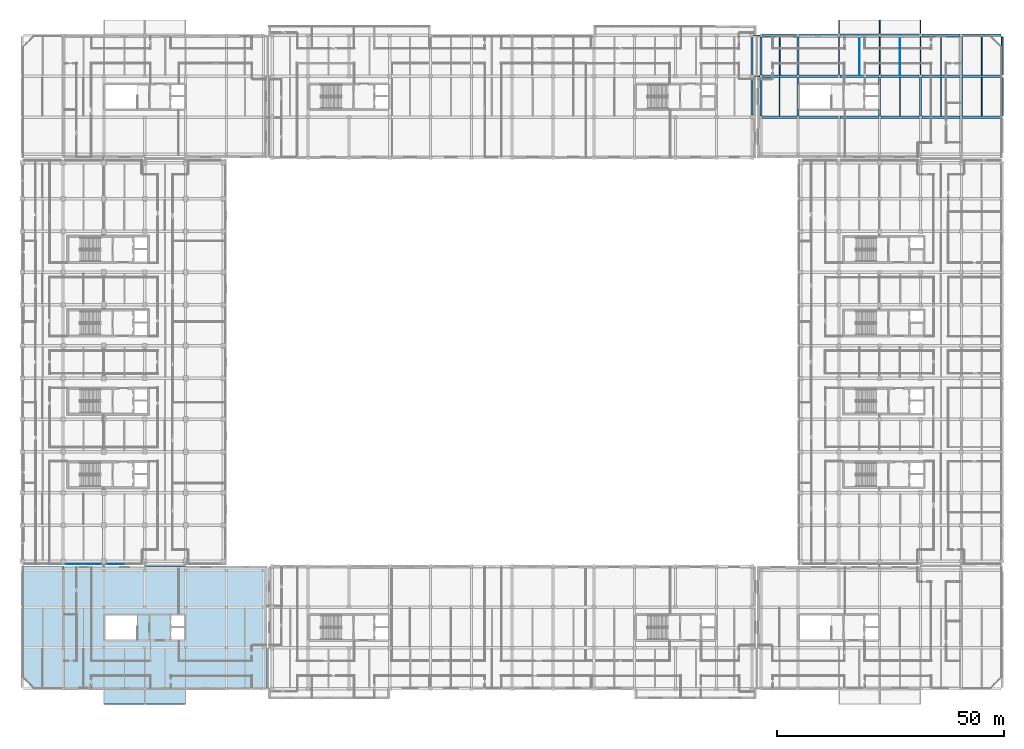
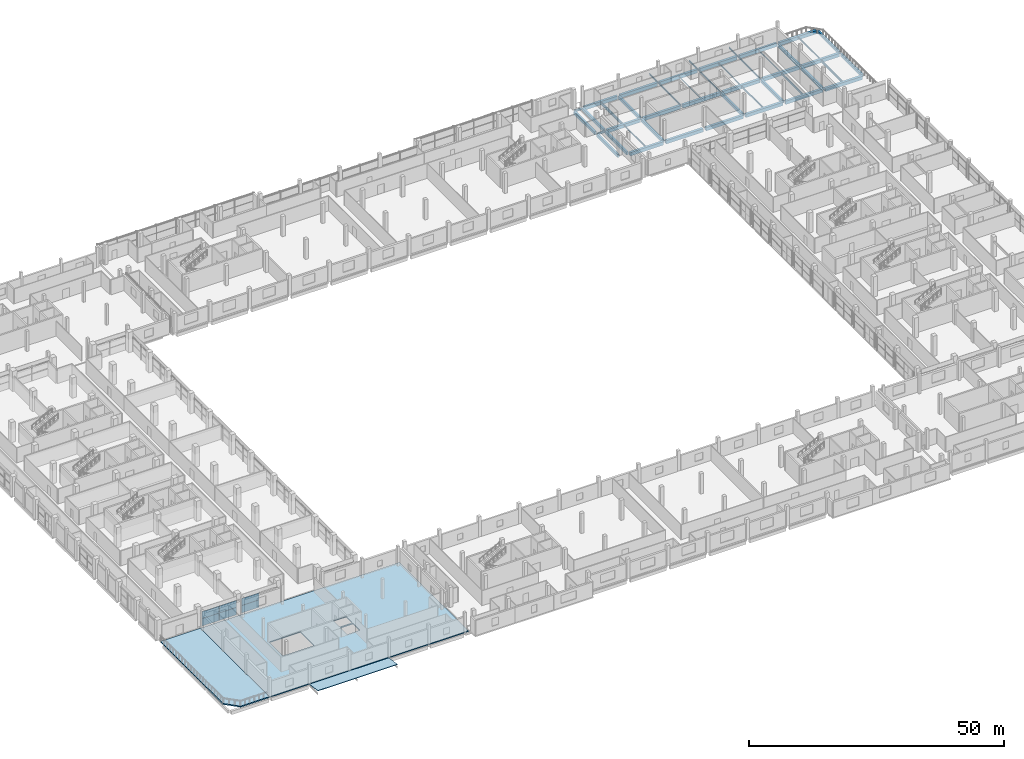
# One storey, part 52 of 111: 44 beams, 6 plates, 3 slabs, 2 elements without a shape of their own.
"""IFC4 building model written with IfcOpenShell, lengths in metres."""

from ifc_helpers import new_model, si_unit, direction, frame, origin, origin_2d, place, context, subcontext, project, spatial, polyline, rectangle, hollow_rectangle, i_section, outline, extrude, material, layer, layer_set, material_profile, profile_set, type_object, element, aggregate, save


model = new_model("IFC4")

# Units and contexts
model_context = context("Model", 3, precision=1e-05, world=origin(), true_north=direction((0.0, 1.0)))
body_context = subcontext(model_context, "Body", "Model", "MODEL_VIEW")
ifc_project = project(units=[si_unit("LENGTHUNIT", "METRE"), si_unit("AREAUNIT", "SQUARE_METRE"), si_unit("VOLUMEUNIT", "CUBIC_METRE"), si_unit("PLANEANGLEUNIT", "RADIAN"), si_unit("MASSUNIT", "GRAM", prefix="KILO"), si_unit("THERMODYNAMICTEMPERATUREUNIT", "KELVIN"), si_unit("POWERUNIT", "WATT")], contexts=[model_context])

# Site, building, storey
site_placement = place(None, origin())
site = spatial("IfcSite", under=ifc_project, at=site_placement, CompositionType="ELEMENT")
building_placement = place(site_placement, origin())
building = spatial("IfcBuilding", under=site, at=building_placement, Name="Sindhuravela Promenade Stadium", CompositionType="ELEMENT")
storey_placement = place(building_placement, frame((0.0, 0.0, 9.60009765625)))
storey = spatial("IfcBuildingStorey", under=building, at=storey_placement, Name="L02", CompositionType="ELEMENT", Elevation=9.60009765625)

# Beams
ifc_material_1 = material(Name="Concrete M40", Category="concrete")
ifc_material_profile_1 = material_profile(ifc_material_1, rectangle(XDim=0.39990234375, YDim=0.64990234375, at=origin_2d()), Name="RC 400x650")
ifc_profile_set_1 = profile_set([ifc_material_profile_1], Name="Concrete M40")
beam_type_1 = type_object("IfcBeamType", Name="RC-BM-400x650", PredefinedType="SPANDREL", material=ifc_profile_set_1)
for number, where, z_axis, x_axis, name in (
    (1, (216.0, 135.31494140625, -0.635009765625), (0.0, 1.0, 0.0), (-1.0, 0.0, 0.0), "Primary beam SP01 Pavilion NE L02"),
    (2, (216.0, 144.31494140625, -0.635009765625), (0.0, 1.0, 0.0), (-1.0, 0.0, 0.0), "Primary beam SP01 Pavilion NE L02"),
):
    element("IfcBeam", number, at=place(storey_placement, frame(where, z_axis=z_axis, x_axis=x_axis)), inside=storey, type_object=beam_type_1, Name=name, PredefinedType="SPANDREL", context=body_context, shape_type="SweptSolid", body=[
        extrude(rectangle(XDim=0.39990234375, YDim=0.64990234375, at=origin_2d()), origin(), (0.0, 0.0, 1.0), 8.3701171875),
    ])
ifc_material_profile_2 = material_profile(ifc_material_1, rectangle(XDim=0.449951171875, YDim=0.699951171875, at=origin_2d()), Name="RC 450x700")
ifc_profile_set_2 = profile_set([ifc_material_profile_2], Name="Concrete M40")
beam_type_2 = type_object("IfcBeamType", Name="RC-BM-450x700", PredefinedType="BEAM", material=ifc_profile_set_2)
for number, where, z_axis, x_axis, name in (
    (3, (160.89990234375, 135.43994140625, -0.630126953125), (0.0, 1.0, 0.0), (-1.0, 0.0, 0.0), "Primary beam GB07 NORTH L02"),
    (4, (160.89990234375, 144.43994140625, -0.630126953125), (0.0, 1.0, 0.0), (-1.0, 0.0, 0.0), "Primary beam GB07 NORTH L02"),
):
    element("IfcBeam", number, at=place(storey_placement, frame(where, z_axis=z_axis, x_axis=x_axis)), inside=storey, type_object=beam_type_2, Name=name, PredefinedType="BEAM", context=body_context, shape_type="SweptSolid", body=[
        extrude(rectangle(XDim=0.449951171875, YDim=0.699951171875, at=origin_2d()), origin(), (0.0, 0.0, 1.0), 8.1201171875),
    ])
for number, where, z_axis, x_axis, name in (
    (5, (162.85009765625, 135.2900390625, -0.585205078125), (0.0, 1.0, 0.0), (-1.0, 0.0, 0.0), "Primary beam GB07 Pavilion NE L02"),
    (6, (162.85009765625, 144.2900390625, -0.585205078125), (0.0, 1.0, 0.0), (-1.0, 0.0, 0.0), "Primary beam GB07 Pavilion NE L02"),
    (7, (171.0, 135.2900390625, -0.585205078125), (0.0, 1.0, 0.0), (-1.0, 0.0, 0.0), "Primary beam GB07 Pavilion NE L02"),
    (8, (171.0, 144.2900390625, -0.585205078125), (0.0, 1.0, 0.0), (-1.0, 0.0, 0.0), "Primary beam GB07 Pavilion NE L02"),
    (9, (189.0, 135.2900390625, -0.585205078125), (0.0, 1.0, 0.0), (-1.0, 0.0, 0.0), "Primary beam GB07 Pavilion NE L02"),
    (10, (198.0, 135.2900390625, -0.585205078125), (0.0, 1.0, 0.0), (-1.0, 0.0, 0.0), "Primary beam GB07 Pavilion NE L02"),
    (11, (207.0, 135.2900390625, -0.66015625), (0.0, 1.0, 0.0), (-1.0, 0.0, 0.0), "Primary beam GB07 Pavilion NE L02"),
    (12, (207.0, 144.2900390625, -0.66015625), (0.0, 1.0, 0.0), (-1.0, 0.0, 0.0), "Primary beam GB07 Pavilion NE L02"),
):
    element("IfcBeam", number, at=place(storey_placement, frame(where, z_axis=z_axis, x_axis=x_axis)), inside=storey, type_object=beam_type_2, Name=name, PredefinedType="BEAM", context=body_context, shape_type="SweptSolid", body=[
        extrude(rectangle(XDim=0.449951171875, YDim=0.699951171875, at=origin_2d()), origin(), (0.0, 0.0, 1.0), 8.419921875),
    ])
ifc_material_profile_3 = material_profile(ifc_material_1, rectangle(XDim=0.550048828125, YDim=0.800048828125, at=origin_2d()), Name="RC 550x800")
ifc_profile_set_3 = profile_set([ifc_material_profile_3], Name="Concrete M40")
beam_type_3 = type_object("IfcBeamType", Name="RC-BM-550x800", PredefinedType="BEAM", material=ifc_profile_set_3)
beam_1_placement = place(storey_placement, frame((163.139892578125, 135.0, -0.635009765625), z_axis=(1.0, 0.0, 0.0), x_axis=(0.0, 1.0, 0.0)))
element("IfcBeam", 13, at=beam_1_placement, inside=storey, type_object=beam_type_3, Name="Primary girder GB05 Pavilion NE L02", PredefinedType="BEAM", context=body_context, shape_type="SweptSolid", body=[
    extrude(rectangle(XDim=0.550048828125, YDim=0.800048828125, at=origin_2d()), origin(), (0.0, 0.0, 1.0), 7.570068359375),
])
for number, where, z_axis, x_axis, name in (
    (14, (171.2900390625, 135.0, -0.635009765625), (1.0, 0.0, 0.0), (0.0, 1.0, 0.0), "Primary girder GB05 Pavilion NE L02"),
    (15, (180.2900390625, 135.0, -0.635009765625), (1.0, 0.0, 0.0), (0.0, 1.0, 0.0), "Primary girder GB05 Pavilion NE L02"),
    (16, (189.2900390625, 135.0, -0.635009765625), (1.0, 0.0, 0.0), (0.0, 1.0, 0.0), "Primary girder GB05 Pavilion NE L02"),
    (17, (198.2900390625, 135.0, -0.635009765625), (1.0, 0.0, 0.0), (0.0, 1.0, 0.0), "Primary girder GB05 Pavilion NE L02"),
):
    element("IfcBeam", number, at=place(storey_placement, frame(where, z_axis=z_axis, x_axis=x_axis)), inside=storey, type_object=beam_type_3, Name=name, PredefinedType="BEAM", context=body_context, shape_type="SweptSolid", body=[
        extrude(rectangle(XDim=0.550048828125, YDim=0.800048828125, at=origin_2d()), origin(), (0.0, 0.0, 1.0), 8.419921875),
    ])
beam_2_placement = place(storey_placement, frame((207.2900390625, 135.0, -0.710205078125), z_axis=(1.0, 0.0, 0.0), x_axis=(0.0, 1.0, 0.0)))
element("IfcBeam", 18, at=beam_2_placement, inside=storey, type_object=beam_type_3, Name="Primary girder GB05 Pavilion NE L02", PredefinedType="BEAM", context=body_context, shape_type="SweptSolid", body=[
    extrude(rectangle(XDim=0.550048828125, YDim=0.800048828125, at=origin_2d()), origin(), (0.0, 0.0, 1.0), 8.39501953125),
])
beam_3_placement = place(storey_placement, frame((163.139892578125, 144.0, -0.635009765625), z_axis=(1.0, 0.0, 0.0), x_axis=(0.0, 1.0, 0.0)))
element("IfcBeam", 19, at=beam_3_placement, inside=storey, type_object=beam_type_3, Name="Primary girder GB05 Pavilion NE L02", PredefinedType="BEAM", context=body_context, shape_type="SweptSolid", body=[
    extrude(rectangle(XDim=0.550048828125, YDim=0.800048828125, at=origin_2d()), origin(), (0.0, 0.0, 1.0), 7.570068359375),
])
for number, where, z_axis, x_axis, name in (
    (20, (171.2900390625, 144.0, -0.635009765625), (1.0, 0.0, 0.0), (0.0, 1.0, 0.0), "Primary girder GB05 Pavilion NE L02"),
    (21, (180.2900390625, 144.0, -0.635009765625), (1.0, 0.0, 0.0), (0.0, 1.0, 0.0), "Primary girder GB05 Pavilion NE L02"),
    (22, (189.2900390625, 144.0, -0.635009765625), (1.0, 0.0, 0.0), (0.0, 1.0, 0.0), "Primary girder GB05 Pavilion NE L02"),
    (23, (198.2900390625, 144.0, -0.635009765625), (1.0, 0.0, 0.0), (0.0, 1.0, 0.0), "Primary girder GB05 Pavilion NE L02"),
):
    element("IfcBeam", number, at=place(storey_placement, frame(where, z_axis=z_axis, x_axis=x_axis)), inside=storey, type_object=beam_type_3, Name=name, PredefinedType="BEAM", context=body_context, shape_type="SweptSolid", body=[
        extrude(rectangle(XDim=0.550048828125, YDim=0.800048828125, at=origin_2d()), origin(), (0.0, 0.0, 1.0), 8.419921875),
    ])
beam_4_placement = place(storey_placement, frame((207.2900390625, 144.0, -0.710205078125), z_axis=(1.0, 0.0, 0.0), x_axis=(0.0, 1.0, 0.0)))
element("IfcBeam", 24, at=beam_4_placement, inside=storey, type_object=beam_type_3, Name="Primary girder GB05 Pavilion NE L02", PredefinedType="BEAM", context=body_context, shape_type="SweptSolid", body=[
    extrude(rectangle(XDim=0.550048828125, YDim=0.800048828125, at=origin_2d()), origin(), (0.0, 0.0, 1.0), 8.39501953125),
])
beam_5_placement = place(storey_placement, frame((163.139892578125, 153.0, -0.635009765625), z_axis=(1.0, 0.0, 0.0), x_axis=(0.0, 1.0, 0.0)))
element("IfcBeam", 25, at=beam_5_placement, inside=storey, type_object=beam_type_3, Name="Primary girder GB05 Pavilion NE L02", PredefinedType="BEAM", context=body_context, shape_type="SweptSolid", body=[
    extrude(rectangle(XDim=0.550048828125, YDim=0.800048828125, at=origin_2d()), origin(), (0.0, 0.0, 1.0), 7.570068359375),
])
for number, where, z_axis, x_axis, name in (
    (26, (171.2900390625, 153.0, -0.635009765625), (1.0, 0.0, 0.0), (0.0, 1.0, 0.0), "Primary girder GB05 Pavilion NE L02"),
    (27, (180.2900390625, 153.0, -0.635009765625), (1.0, 0.0, 0.0), (0.0, 1.0, 0.0), "Primary girder GB05 Pavilion NE L02"),
    (28, (189.2900390625, 153.0, -0.635009765625), (1.0, 0.0, 0.0), (0.0, 1.0, 0.0), "Primary girder GB05 Pavilion NE L02"),
    (29, (198.2900390625, 153.0, -0.635009765625), (1.0, 0.0, 0.0), (0.0, 1.0, 0.0), "Primary girder GB05 Pavilion NE L02"),
):
    element("IfcBeam", number, at=place(storey_placement, frame(where, z_axis=z_axis, x_axis=x_axis)), inside=storey, type_object=beam_type_3, Name=name, PredefinedType="BEAM", context=body_context, shape_type="SweptSolid", body=[
        extrude(rectangle(XDim=0.550048828125, YDim=0.800048828125, at=origin_2d()), origin(), (0.0, 0.0, 1.0), 8.419921875),
    ])
beam_6_placement = place(storey_placement, frame((207.2900390625, 153.0, -0.710205078125), z_axis=(1.0, 0.0, 0.0), x_axis=(0.0, 1.0, 0.0)))
element("IfcBeam", 30, at=beam_6_placement, inside=storey, type_object=beam_type_3, Name="Primary girder GB05 Pavilion NE L02", PredefinedType="BEAM", context=body_context, shape_type="SweptSolid", body=[
    extrude(rectangle(XDim=0.550048828125, YDim=0.800048828125, at=origin_2d()), origin(), (0.0, 0.0, 1.0), 8.39501953125),
])
ifc_material_2 = material(Name="Steel E350 (IS 2062 E350BR)", Category="steel")
ifc_material_profile_4 = material_profile(ifc_material_2, hollow_rectangle(XDim=0.10009765625, YDim=0.199951171875, WallThickness=0.008056640625, at=origin_2d()), Name="RHS 200x100x8")
ifc_profile_set_4 = profile_set([ifc_material_profile_4], Name="Steel E350 (IS 2062 E350BR)")
beam_type_4 = type_object("IfcBeamType", Name="ST-BM-LNT200", PredefinedType="LINTEL", material=ifc_profile_set_4)
beam_7_placement = place(storey_placement, frame((184.5, 144.264892578125, -0.335205078125), z_axis=(0.0, 1.0, 0.0), x_axis=(-1.0, 0.0, 0.0)))
element("IfcBeam", 31, at=beam_7_placement, inside=storey, type_object=beam_type_4, Name="Secondary floor joist LN01 Pavilion NE L02", PredefinedType="LINTEL", context=body_context, shape_type="SweptSolid", body=[
    extrude(hollow_rectangle(XDim=0.10009765625, YDim=0.199951171875, WallThickness=0.008056640625, at=origin_2d()), origin(), (0.0, 0.0, 1.0), 8.47021484375),
])
ifc_material_profile_5 = material_profile(ifc_material_2, i_section(OverallWidth=0.10009765625, OverallDepth=0.199951171875, WebThickness=0.005615234375, FlangeThickness=0.0107421875, FilletRadius=0.010986328125, at=origin_2d()), Name="ISMB 200")
ifc_profile_set_5 = profile_set([ifc_material_profile_5], Name="Steel E350 (IS 2062 E350BR)")
beam_type_5 = type_object("IfcBeamType", Name="ST-BM-MB200", PredefinedType="JOIST", material=ifc_profile_set_5)
beam_8_placement = place(storey_placement, frame((193.5, 144.264892578125, -0.335205078125), z_axis=(0.0, 1.0, 0.0), x_axis=(-1.0, 0.0, 0.0)))
element("IfcBeam", 32, at=beam_8_placement, inside=storey, type_object=beam_type_5, Name="Secondary floor joist SB01 Pavilion NE L02", PredefinedType="JOIST", context=body_context, shape_type="SweptSolid", body=[
    extrude(i_section(OverallWidth=0.10009765625, OverallDepth=0.199951171875, WebThickness=0.005615234375, FlangeThickness=0.0107421875, FilletRadius=0.010986328125, at=origin_2d()), origin(), (0.0, 0.0, 1.0), 8.47021484375),
])
ifc_material_profile_6 = material_profile(ifc_material_2, i_section(OverallWidth=0.125, OverallDepth=0.25, WebThickness=0.0068359375, FlangeThickness=0.012451171875, FilletRadius=0.012939453125, at=origin_2d()), Name="ISMB 250")
ifc_profile_set_6 = profile_set([ifc_material_profile_6], Name="Steel E350 (IS 2062 E350BR)")
beam_type_6 = type_object("IfcBeamType", Name="ST-BM-MB250", PredefinedType="JOIST", material=ifc_profile_set_6)
beam_9_placement = place(storey_placement, frame((202.5, 144.264892578125, -0.360107421875), z_axis=(0.0, 1.0, 0.0), x_axis=(-1.0, 0.0, 0.0)))
element("IfcBeam", 33, at=beam_9_placement, inside=storey, type_object=beam_type_6, Name="Secondary floor joist SB02 Pavilion NE L02", PredefinedType="JOIST", context=body_context, shape_type="SweptSolid", body=[
    extrude(i_section(OverallWidth=0.125, OverallDepth=0.25, WebThickness=0.0068359375, FlangeThickness=0.012451171875, FilletRadius=0.012939453125, at=origin_2d()), origin(), (0.0, 0.0, 1.0), 8.47021484375),
])
ifc_material_profile_7 = material_profile(ifc_material_2, i_section(OverallWidth=0.139892578125, OverallDepth=0.300048828125, WebThickness=0.0078125, FlangeThickness=0.01318359375, FilletRadius=0.013916015625, at=origin_2d()), Name="ISMB 300")
ifc_profile_set_7 = profile_set([ifc_material_profile_7], Name="Steel E350 (IS 2062 E350BR)")
beam_type_7 = type_object("IfcBeamType", Name="ST-BM-MB300", PredefinedType="JOIST", material=ifc_profile_set_7)
beam_10_placement = place(storey_placement, frame((211.5, 144.264892578125, -0.460205078125), z_axis=(0.0, 1.0, 0.0), x_axis=(-1.0, 0.0, 0.0)))
element("IfcBeam", 34, at=beam_10_placement, inside=storey, type_object=beam_type_7, Name="Secondary floor joist SB03 Pavilion NE L02", PredefinedType="JOIST", context=body_context, shape_type="SweptSolid", body=[
    extrude(i_section(OverallWidth=0.139892578125, OverallDepth=0.300048828125, WebThickness=0.0078125, FlangeThickness=0.01318359375, FilletRadius=0.013916015625, at=origin_2d()), origin(), (0.0, 0.0, 1.0), 8.47021484375),
])
ifc_material_profile_8 = material_profile(ifc_material_2, i_section(OverallWidth=0.139892578125, OverallDepth=0.35009765625, WebThickness=0.008056640625, FlangeThickness=0.01416015625, FilletRadius=0.013916015625, at=origin_2d()), Name="ISMB 350")
ifc_profile_set_8 = profile_set([ifc_material_profile_8], Name="Steel E350 (IS 2062 E350BR)")
beam_type_8 = type_object("IfcBeamType", Name="ST-BM-MB350", PredefinedType="JOIST", material=ifc_profile_set_8)
beam_11_placement = place(storey_placement, frame((166.925048828125, 135.264892578125, -0.41015625), z_axis=(0.0, 1.0, 0.0), x_axis=(-1.0, 0.0, 0.0)))
element("IfcBeam", 35, at=beam_11_placement, inside=storey, type_object=beam_type_8, Name="Secondary floor joist SB04 Pavilion NE L02", PredefinedType="JOIST", context=body_context, shape_type="SweptSolid", body=[
    extrude(i_section(OverallWidth=0.139892578125, OverallDepth=0.35009765625, WebThickness=0.008056640625, FlangeThickness=0.01416015625, FilletRadius=0.013916015625, at=origin_2d()), origin(), (0.0, 0.0, 1.0), 8.47021484375),
])
ifc_material_profile_9 = material_profile(ifc_material_2, i_section(OverallWidth=0.139892578125, OverallDepth=0.39990234375, WebThickness=0.0087890625, FlangeThickness=0.01611328125, FilletRadius=0.013916015625, at=origin_2d()), Name="ISMB 400")
ifc_profile_set_9 = profile_set([ifc_material_profile_9], Name="Steel E350 (IS 2062 E350BR)")
beam_type_9 = type_object("IfcBeamType", Name="ST-BM-MB400", PredefinedType="BEAM", material=ifc_profile_set_9)
beam_12_placement = place(storey_placement, frame((193.5, 135.264892578125, -0.43505859375), z_axis=(0.0, 1.0, 0.0), x_axis=(-1.0, 0.0, 0.0)))
element("IfcBeam", 36, at=beam_12_placement, inside=storey, type_object=beam_type_9, Name="Secondary floor joist SB05 Pavilion NE L02", PredefinedType="BEAM", context=body_context, shape_type="SweptSolid", body=[
    extrude(i_section(OverallWidth=0.139892578125, OverallDepth=0.39990234375, WebThickness=0.0087890625, FlangeThickness=0.01611328125, FilletRadius=0.013916015625, at=origin_2d()), origin(), (0.0, 0.0, 1.0), 8.47021484375),
])
for number, where, z_axis, x_axis, name in (
    (37, (180.0, 144.0, -0.4501953125), (0.0, 1.0, 0.0), (-1.0, 0.0, 0.0), "Main entrance canopy cantilever beam NE-1"),
    (38, (189.0, 144.0, -0.4501953125), (0.0, 1.0, 0.0), (-1.0, 0.0, 0.0), "Main entrance canopy cantilever beam NE-2"),
    (39, (198.0, 144.0, -0.4501953125), (0.0, 1.0, 0.0), (-1.0, 0.0, 0.0), "Main entrance canopy cantilever beam NE-3"),
):
    element("IfcBeam", number, at=place(storey_placement, frame(where, z_axis=z_axis, x_axis=x_axis)), inside=storey, type_object=beam_type_9, Name=name, PredefinedType="BEAM", context=body_context, shape_type="SweptSolid", body=[
        extrude(i_section(OverallWidth=0.139892578125, OverallDepth=0.39990234375, WebThickness=0.0087890625, FlangeThickness=0.01611328125, FilletRadius=0.013916015625, at=origin_2d()), origin(), (0.0, 0.0, 1.0), 12.39990234375),
    ])
ifc_material_profile_10 = material_profile(ifc_material_2, i_section(OverallWidth=0.14990234375, OverallDepth=0.449951171875, WebThickness=0.009521484375, FlangeThickness=0.017333984375, FilletRadius=0.014892578125, at=origin_2d()), Name="ISMB 450")
ifc_profile_set_10 = profile_set([ifc_material_profile_10], Name="Steel E350 (IS 2062 E350BR)")
beam_type_10 = type_object("IfcBeamType", Name="ST-BM-MB450", PredefinedType="BEAM", material=ifc_profile_set_10)
beam_13_placement = place(storey_placement, frame((202.5, 135.264892578125, -0.460205078125), z_axis=(0.0, 1.0, 0.0), x_axis=(-1.0, 0.0, 0.0)))
element("IfcBeam", 40, at=beam_13_placement, inside=storey, type_object=beam_type_10, Name="Secondary floor joist SB06 Pavilion NE L02", PredefinedType="BEAM", context=body_context, shape_type="SweptSolid", body=[
    extrude(i_section(OverallWidth=0.14990234375, OverallDepth=0.449951171875, WebThickness=0.009521484375, FlangeThickness=0.017333984375, FilletRadius=0.014892578125, at=origin_2d()), origin(), (0.0, 0.0, 1.0), 8.47021484375),
])
ifc_material_profile_11 = material_profile(ifc_material_2, i_section(OverallWidth=0.179931640625, OverallDepth=0.5, WebThickness=0.01025390625, FlangeThickness=0.01708984375, FilletRadius=0.01708984375, at=origin_2d()), Name="ISMB 500")
ifc_profile_set_11 = profile_set([ifc_material_profile_11], Name="Steel E350 (IS 2062 E350BR)")
beam_type_11 = type_object("IfcBeamType", Name="ST-BM-MB500", PredefinedType="BEAM", material=ifc_profile_set_11)
for number, where, z_axis, x_axis, name in (
    (41, (161.0, 144.0, -0.610107421875), (1.0, 0.0, 0.0), (0.0, 1.0, 0.0), "Concourse link bridge L02 North-NE PTFE sliding girder B"),
    (42, (161.0, 153.0, -0.610107421875), (1.0, 0.0, 0.0), (0.0, 1.0, 0.0), "Concourse link bridge L02 North-NE PTFE sliding girder T"),
):
    element("IfcBeam", number, at=place(storey_placement, frame(where, z_axis=z_axis, x_axis=x_axis)), inside=storey, type_object=beam_type_11, Name=name, PredefinedType="BEAM", context=body_context, shape_type="SweptSolid", body=[
        extrude(i_section(OverallWidth=0.179931640625, OverallDepth=0.5, WebThickness=0.01025390625, FlangeThickness=0.01708984375, FilletRadius=0.01708984375, at=origin_2d()), origin(), (0.0, 0.0, 1.0), 1.75),
    ])
ifc_material_profile_12 = material_profile(ifc_material_2, i_section(OverallWidth=0.18994140625, OverallDepth=0.550048828125, WebThickness=0.01123046875, FlangeThickness=0.019287109375, FilletRadius=0.01806640625, at=origin_2d()), Name="ISMB 550")
ifc_profile_set_12 = profile_set([ifc_material_profile_12], Name="Steel E350 (IS 2062 E350BR)")
beam_type_12 = type_object("IfcBeamType", Name="ST-BM-MB550", PredefinedType="SPANDREL", material=ifc_profile_set_12)
beam_14_placement = place(storey_placement, frame((211.5, 135.264892578125, -0.585205078125), z_axis=(0.0, 1.0, 0.0), x_axis=(-1.0, 0.0, 0.0)))
element("IfcBeam", 43, at=beam_14_placement, inside=storey, type_object=beam_type_12, Name="Secondary floor joist SB08 Pavilion NE L02", PredefinedType="SPANDREL", context=body_context, shape_type="SweptSolid", body=[
    extrude(i_section(OverallWidth=0.18994140625, OverallDepth=0.550048828125, WebThickness=0.01123046875, FlangeThickness=0.019287109375, FilletRadius=0.01806640625, at=origin_2d()), origin(), (0.0, 0.0, 1.0), 8.47021484375),
])
ifc_material_profile_13 = material_profile(ifc_material_2, i_section(OverallWidth=0.2099609375, OverallDepth=0.60009765625, WebThickness=0.011962890625, FlangeThickness=0.020751953125, FilletRadius=0.02001953125, at=origin_2d()), Name="ISMB 600")
ifc_profile_set_13 = profile_set([ifc_material_profile_13], Name="Steel E350 (IS 2062 E350BR)")
beam_type_13 = type_object("IfcBeamType", Name="ST-BM-MB600", PredefinedType="BEAM", material=ifc_profile_set_13)
beam_15_placement = place(storey_placement, frame((166.925048828125, 144.264892578125, -0.53515625), z_axis=(0.0, 1.0, 0.0), x_axis=(-1.0, 0.0, 0.0)))
element("IfcBeam", 44, at=beam_15_placement, inside=storey, type_object=beam_type_13, Name="Secondary floor joist SB09 Pavilion NE L02", PredefinedType="BEAM", context=body_context, shape_type="SweptSolid", body=[
    extrude(i_section(OverallWidth=0.2099609375, OverallDepth=0.60009765625, WebThickness=0.011962890625, FlangeThickness=0.020751953125, FilletRadius=0.02001953125, at=origin_2d()), origin(), (0.0, 0.0, 1.0), 8.47021484375),
])

# Curtain wall, plates
ifc_material_3 = material(Name="Anodised architectural aluminium 6063-T6", Category="aluminium")
curtain_wall_type_1 = type_object("IfcCurtainWallType", Name="CW-MOD-3", PredefinedType="NOTDEFINED", material=ifc_material_3)
curtain_wall_1_placement = place(storey_placement, origin())
curtain_wall_1 = element("IfcCurtainWall", 45, at=curtain_wall_1_placement, inside=storey, type_object=curtain_wall_type_1, Name="Bronze curtain wall CW-WEST-L02-026", PredefinedType="NOTDEFINED")
ifc_material_4 = material(Name="Tempered laminated low-E glass", Category="glass")
ifc_layer_1 = layer(ifc_material_4, 0.028076171875)
ifc_layer_set_1 = layer_set([ifc_layer_1], Name="Tempered laminated low-E glass")
plate_type_1 = type_object("IfcPlateType", Name="CW-PNL-01", PredefinedType="CURTAIN_PANEL", material=ifc_layer_set_1)
plate_1_placement = place(storey_placement, frame((20.52490234375, 36.449951171875, 0.01513671875), z_axis=(0.0, 0.0, 1.0), x_axis=(-1.0, 0.0, 0.0)))
plate_1 = element("IfcPlate", 46, at=plate_1_placement, type_object=plate_type_1, Name="Glazed curtain panel CW-WEST-L02-026-P2.1", PredefinedType="CURTAIN_PANEL", context=body_context, shape_type="SweptSolid", body=[
    extrude(rectangle(XDim=3.889892578125, YDim=0.028076171875, at=origin_2d()), origin(), (0.0, 0.0, 1.0), 1.760009765625),
])
plate_2_placement = place(storey_placement, frame((20.52490234375, 36.449951171875, 1.80517578125), z_axis=(0.0, 0.0, 1.0), x_axis=(-1.0, 0.0, 0.0)))
plate_2 = element("IfcPlate", 47, at=plate_2_placement, type_object=plate_type_1, Name="Glazed curtain panel CW-WEST-L02-026-P2.2", PredefinedType="CURTAIN_PANEL", context=body_context, shape_type="SweptSolid", body=[
    extrude(rectangle(XDim=3.889892578125, YDim=0.028076171875, at=origin_2d()), origin(), (0.0, 0.0, 1.0), 1.679931640625),
])
aggregate(curtain_wall_1, [plate_1, plate_2])

curtain_wall_type_2 = type_object("IfcCurtainWallType", Name="CW-MOD-4", PredefinedType="NOTDEFINED", material=ifc_material_3)
curtain_wall_2_placement = place(storey_placement, origin())
curtain_wall_2 = element("IfcCurtainWall", 48, at=curtain_wall_2_placement, inside=storey, type_object=curtain_wall_type_2, Name="Bronze curtain wall CW-WEST-L02-027", PredefinedType="NOTDEFINED")
ifc_layer_2 = layer(ifc_material_4, 0.0400390625)
ifc_layer_set_2 = layer_set([ifc_layer_2], Name="Tempered laminated low-E glass")
plate_type_2 = type_object("IfcPlateType", Name="CW-PNL-02", PredefinedType="CURTAIN_PANEL", material=ifc_layer_set_2)
plate_3_placement = place(storey_placement, frame((15.47509765625, 36.449951171875, 0.01513671875), z_axis=(0.0, 0.0, 1.0), x_axis=(-1.0, 0.0, 0.0)))
plate_3 = element("IfcPlate", 49, at=plate_3_placement, type_object=plate_type_2, Name="Glazed curtain panel CW-WEST-L02-027-P1.1", PredefinedType="CURTAIN_PANEL", context=body_context, shape_type="SweptSolid", body=[
    extrude(rectangle(XDim=3.889892578125, YDim=0.0400390625, at=origin_2d()), origin(), (0.0, 0.0, 1.0), 1.760009765625),
])
plate_4_placement = place(storey_placement, frame((15.47509765625, 36.449951171875, 1.80517578125), z_axis=(0.0, 0.0, 1.0), x_axis=(-1.0, 0.0, 0.0)))
plate_4 = element("IfcPlate", 50, at=plate_4_placement, type_object=plate_type_2, Name="Glazed curtain panel CW-WEST-L02-027-P1.2", PredefinedType="CURTAIN_PANEL", context=body_context, shape_type="SweptSolid", body=[
    extrude(rectangle(XDim=3.889892578125, YDim=0.0400390625, at=origin_2d()), origin(), (0.0, 0.0, 1.0), 1.679931640625),
])
plate_5_placement = place(storey_placement, frame((11.52490234375, 36.449951171875, 0.01513671875), z_axis=(0.0, 0.0, 1.0), x_axis=(-1.0, 0.0, 0.0)))
plate_5 = element("IfcPlate", 51, at=plate_5_placement, type_object=plate_type_2, Name="Glazed curtain panel CW-WEST-L02-027-P2.1", PredefinedType="CURTAIN_PANEL", context=body_context, shape_type="SweptSolid", body=[
    extrude(rectangle(XDim=3.889892578125, YDim=0.0400390625, at=origin_2d()), origin(), (0.0, 0.0, 1.0), 1.760009765625),
])
plate_6_placement = place(storey_placement, frame((11.52490234375, 36.449951171875, 1.80517578125), z_axis=(0.0, 0.0, 1.0), x_axis=(-1.0, 0.0, 0.0)))
plate_6 = element("IfcPlate", 52, at=plate_6_placement, type_object=plate_type_2, Name="Glazed curtain panel CW-WEST-L02-027-P2.2", PredefinedType="CURTAIN_PANEL", context=body_context, shape_type="SweptSolid", body=[
    extrude(rectangle(XDim=3.889892578125, YDim=0.0400390625, at=origin_2d()), origin(), (0.0, 0.0, 1.0), 1.679931640625),
])
aggregate(curtain_wall_2, [plate_3, plate_4, plate_5, plate_6])

# Slabs
ifc_layer_3 = layer(ifc_material_1, 0.110107421875)
ifc_layer_set_3 = layer_set([ifc_layer_3], Name="Concrete M40")
slab_type_1 = type_object("IfcSlabType", Name="SL-ENT-110", PredefinedType="ROOF", material=ifc_layer_set_3)
slab_1_placement = place(storey_placement, frame((36.0, 8.9599609375, -0.1201171875), z_axis=(0.0, 0.13852926932385745, 0.9903583399661954), x_axis=(-1.0, 0.0, 0.0)))
element("IfcSlab", 53, at=slab_1_placement, inside=storey, type_object=slab_type_1, Name="Gate pavilion SW cantilevered entrance canopy", PredefinedType="ROOF", context=body_context, shape_type="SweptSolid", body=[
    extrude(outline(polyline([(0.0, 0.0), (18.0, 0.0), (18.0, 3.39257331983965), (0.0, 3.39257331983965), (0.0, 0.0)])), origin(), (0.0, 0.0, -1.0), 0.110107421875),
])
ifc_layer_4 = layer(ifc_material_1, 0.235107421875)
ifc_layer_set_4 = layer_set([ifc_layer_4], Name="Concrete M40")
slab_type_2 = type_object("IfcSlabType", Name="SL-FLR-220", PredefinedType="FLOOR", material=ifc_layer_set_4)
slab_2_placement = place(storey_placement, frame((0.0, 0.0, -0.235107421875)))
element("IfcSlab", 54, at=slab_2_placement, inside=storey, type_object=slab_type_2, Name="Floor slab Pavilion SW L02", PredefinedType="FLOOR", context=body_context, shape_type="SweptSolid", body=[
    extrude(outline(polyline([(9.0, 9.0), (54.0, 9.0), (54.0, 36.0), (9.0, 36.0), (9.0, 9.0)]), holes=[polyline([(18.300048828125, 19.800048828125), (25.34912109375, 19.800048828125), (25.34912109375, 25.199951171875), (18.300048828125, 25.199951171875), (18.300048828125, 19.800048828125)]), polyline([(32.800048828125, 22.800048828125), (35.699951171875, 22.800048828125), (35.699951171875, 25.199951171875), (32.800048828125, 25.199951171875), (32.800048828125, 22.800048828125)]), polyline([(32.800048828125, 19.800048828125), (35.699951171875, 19.800048828125), (35.699951171875, 22.5), (32.800048828125, 22.5), (32.800048828125, 19.800048828125)])]), origin(), (0.0, 0.0, 1.0), 0.235107421875),
])
ifc_layer_5 = layer(ifc_material_1, 0.27001953125)
ifc_layer_set_5 = layer_set([ifc_layer_5], Name="Concrete M40")
slab_type_3 = type_object("IfcSlabType", Name="SL-TER-270", PredefinedType="FLOOR", material=ifc_layer_set_5)
slab_3_placement = place(storey_placement, frame((0.0, 0.0, -0.27001953125)))
element("IfcSlab", 55, at=slab_3_placement, inside=storey, type_object=slab_type_3, Name="SW Pavilion West Terrace", PredefinedType="FLOOR", context=body_context, shape_type="SweptSolid", body=[
    extrude(outline(polyline([(2.52001953125, 9.0), (9.0, 9.0), (9.0, 36.0), (0.0, 36.0), (0.0, 11.52001953125), (2.52001953125, 9.0)])), origin(), (0.0, 0.0, 1.0), 0.27001953125),
])

save(model, "model.ifc")
